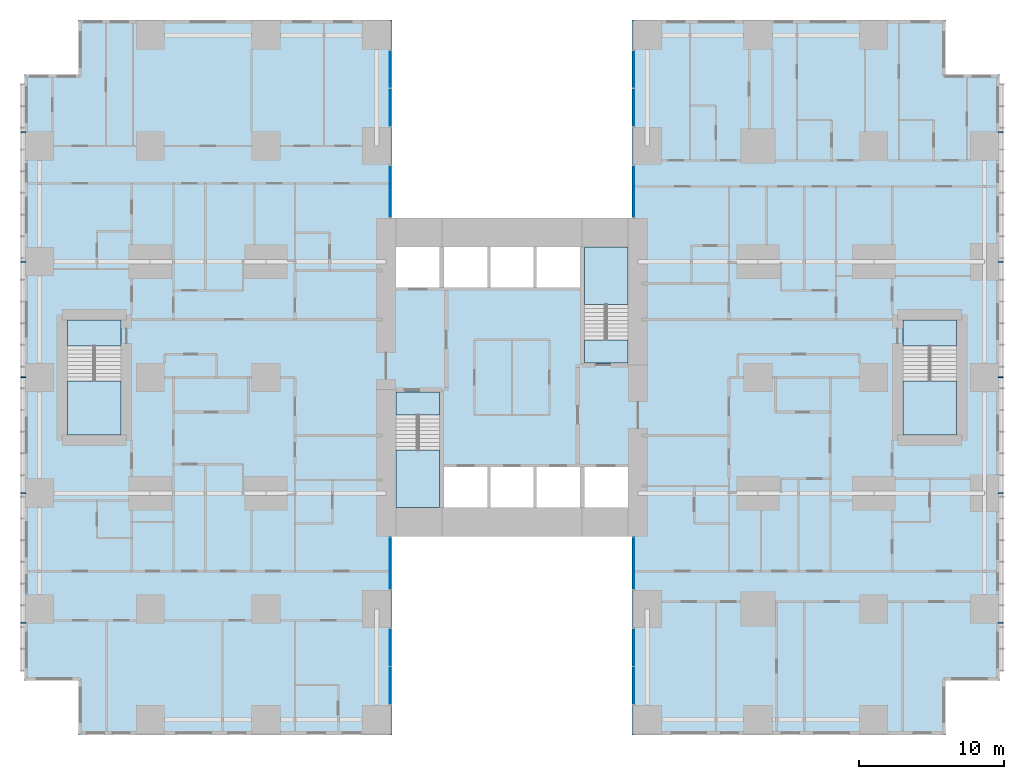
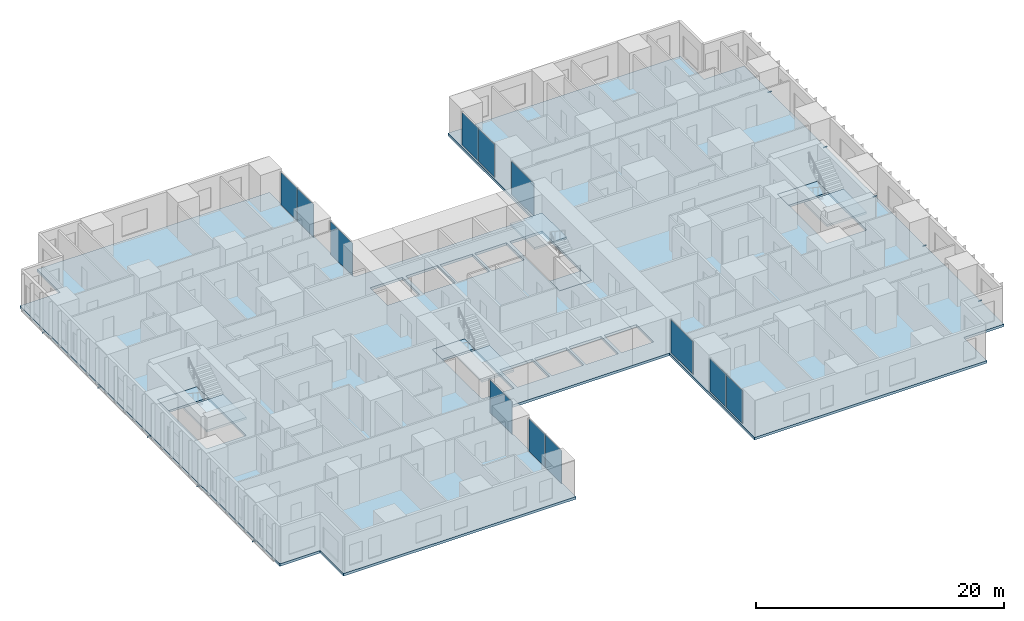
# One storey, part 7 of 21: 12 plates, 10 members, 9 slabs, 12 elements without a shape of their own.
"""IFC4 building model written with IfcOpenShell, lengths in metres."""

from ifc_helpers import new_model, si_unit, direction, frame, origin, origin_2d, place, context, subcontext, project, spatial, polyline, rectangle, hollow_rectangle, outline, extrude, material, layer, layer_set, material_profile, profile_set, type_object, element, aggregate, save


model = new_model("IFC4")

# Units and contexts
model_context = context("Model", 3, precision=1e-05, world=origin(), true_north=direction((0.0, 1.0)))
body_context = subcontext(model_context, "Body", "Model", "MODEL_VIEW")
ifc_project = project(units=[si_unit("LENGTHUNIT", "METRE"), si_unit("AREAUNIT", "SQUARE_METRE"), si_unit("VOLUMEUNIT", "CUBIC_METRE"), si_unit("PLANEANGLEUNIT", "RADIAN"), si_unit("MASSUNIT", "GRAM", prefix="KILO")], contexts=[model_context])

# Site, building, storey
site_placement = place(None, origin())
site = spatial("IfcSite", under=ifc_project, at=site_placement, CompositionType="ELEMENT")
building_placement = place(site_placement, origin())
building = spatial("IfcBuilding", under=site, at=building_placement, Name="Cleftline Residences", CompositionType="ELEMENT")
storey_placement = place(building_placement, frame((0.0, 0.0, 65.60009765625)))
storey = spatial("IfcBuildingStorey", under=building, at=storey_placement, Name="L16", CompositionType="ELEMENT", Elevation=65.60009765625)

# Members
ifc_material_1 = material(Name="Steel S355, hot-dip galvanised", Category="steel")
ifc_material_profile = material_profile(ifc_material_1, hollow_rectangle(XDim=0.10009765625, YDim=0.10009765625, WallThickness=0.008056640625, InnerFilletRadius=0.008056640625, OuterFilletRadius=0.011962890625, at=origin_2d()))
ifc_profile_set = profile_set([ifc_material_profile], Name="Steel S355, hot-dip galvanised")
member_type = type_object("IfcMemberType", Name="BAGUETTE BRACKET SHS 100X100X8", PredefinedType="USERDEFINED", material=ifc_profile_set)
for number, where, z_axis, x_axis, name in (
    (1, (66.60009765625, 7.050048828125, -0.150146484375), (1.0, 0.0, 0.0), (0.0, 1.0, 0.0), "Baguette bracket"),
    (2, (66.60009765625, 16.0, -0.150146484375), (1.0, 0.0, 0.0), (0.0, 1.0, 0.0), "Baguette bracket"),
    (3, (66.60009765625, 24.0, -0.150146484375), (1.0, 0.0, 0.0), (0.0, 1.0, 0.0), "Baguette bracket"),
    (4, (66.60009765625, 32.0, -0.150146484375), (1.0, 0.0, 0.0), (0.0, 1.0, 0.0), "Baguette bracket"),
    (5, (66.60009765625, 40.949951171875, -0.150146484375), (1.0, 0.0, 0.0), (0.0, 1.0, 0.0), "Baguette bracket"),
    (6, (-0.60009765625, 40.949951171875, -0.150146484375), (-1.0, 0.0, 0.0), (0.0, -1.0, 0.0), "Baguette bracket"),
    (7, (-0.60009765625, 32.0, -0.150146484375), (-1.0, 0.0, 0.0), (0.0, -1.0, 0.0), "Baguette bracket"),
    (8, (-0.60009765625, 24.0, -0.150146484375), (-1.0, 0.0, 0.0), (0.0, -1.0, 0.0), "Baguette bracket"),
    (9, (-0.60009765625, 16.0, -0.150146484375), (-1.0, 0.0, 0.0), (0.0, -1.0, 0.0), "Baguette bracket"),
    (10, (-0.60009765625, 7.050048828125, -0.150146484375), (-1.0, 0.0, 0.0), (0.0, -1.0, 0.0), "Baguette bracket"),
):
    element("IfcMember", number, at=place(storey_placement, frame(where, z_axis=z_axis, x_axis=x_axis)), inside=storey, type_object=member_type, Name=name, ObjectType="BAGUETTE BRACKET", PredefinedType="USERDEFINED", context=body_context, shape_type="SweptSolid", body=[
        extrude(hollow_rectangle(XDim=0.10009765625, YDim=0.10009765625, WallThickness=0.008056640625, InnerFilletRadius=0.008056640625, OuterFilletRadius=0.011962890625, at=origin_2d()), origin(), (0.0, 0.0, 1.0), 0.349853515625),
    ])

# Curtain wall, plates
ifc_material_2 = material(Name="Aluminium framed curtain wall", Category="aluminium")
ifc_layer_1 = layer(ifc_material_2, 0.199951171875)
ifc_layer_set_1 = layer_set([ifc_layer_1], Name="CW1 CLEFT GLAZING")
curtain_wall_type = type_object("IfcCurtainWallType", Name="CW1 CLEFT GLAZING", PredefinedType="NOTDEFINED", material=ifc_layer_set_1)
curtain_wall_1_placement = place(storey_placement, origin())
curtain_wall_1 = element("IfcCurtainWall", 11, at=curtain_wall_1_placement, inside=storey, type_object=curtain_wall_type, Name="Curtain wall CW1", PredefinedType="NOTDEFINED")
ifc_material_3 = material(Name="Laminated clear glass", Category="glass")
ifc_layer_2 = layer(ifc_material_3, 0.028076171875)
ifc_layer_set_2 = layer_set([ifc_layer_2], Name="CW1 GLASS PANEL")
plate_type = type_object("IfcPlateType", Name="CW1 GLASS PANEL", PredefinedType="CURTAIN_PANEL", material=ifc_layer_set_2)
plate_1_placement = place(storey_placement, frame((24.574951171875, 2.702392578125, 0.059814453125), z_axis=(0.0, 0.0, 1.0), x_axis=(0.0, 1.0, 0.0)))
plate_1 = element("IfcPlate", 12, at=plate_1_placement, type_object=plate_type, Name="CW1 panel 1.1", PredefinedType="CURTAIN_PANEL", context=body_context, shape_type="SweptSolid", body=[
    extrude(rectangle(XDim=2.5849609375, YDim=0.028076171875, at=origin_2d()), origin(), (0.0, 0.0, 1.0), 3.22998046875),
])
plate_2_placement = place(storey_placement, frame((24.574951171875, 5.347412109375, 0.059814453125), z_axis=(0.0, 0.0, 1.0), x_axis=(0.0, 1.0, 0.0)))
plate_2 = element("IfcPlate", 13, at=plate_2_placement, type_object=plate_type, Name="CW1 panel 2.1", PredefinedType="CURTAIN_PANEL", context=body_context, shape_type="SweptSolid", body=[
    extrude(rectangle(XDim=2.5849609375, YDim=0.028076171875, at=origin_2d()), origin(), (0.0, 0.0, 1.0), 3.22998046875),
])
aggregate(curtain_wall_1, [plate_1, plate_2])

# Curtain wall, plate
curtain_wall_2_placement = place(storey_placement, origin())
curtain_wall_2 = element("IfcCurtainWall", 14, at=curtain_wall_2_placement, inside=storey, type_object=curtain_wall_type, Name="Curtain wall CW1", PredefinedType="NOTDEFINED")
plate_3_placement = place(storey_placement, frame((24.574951171875, 11.14990234375, 0.059814453125), z_axis=(0.0, 0.0, 1.0), x_axis=(0.0, 1.0, 0.0)))
plate_3 = element("IfcPlate", 15, at=plate_3_placement, type_object=plate_type, Name="CW1 panel 1.1", PredefinedType="CURTAIN_PANEL", context=body_context, shape_type="SweptSolid", body=[
    extrude(rectangle(XDim=3.580078125, YDim=0.028076171875, at=origin_2d()), origin(), (0.0, 0.0, 1.0), 3.22998046875),
])
aggregate(curtain_wall_2, [plate_3])

curtain_wall_3_placement = place(storey_placement, origin())
curtain_wall_3 = element("IfcCurtainWall", 16, at=curtain_wall_3_placement, inside=storey, type_object=curtain_wall_type, Name="Curtain wall CW1", PredefinedType="NOTDEFINED")
plate_4_placement = place(storey_placement, frame((41.425048828125, 11.14990234375, 0.059814453125), z_axis=(0.0, 0.0, 1.0), x_axis=(0.0, -1.0, 0.0)))
plate_4 = element("IfcPlate", 17, at=plate_4_placement, type_object=plate_type, Name="CW1 panel 1.1", PredefinedType="CURTAIN_PANEL", context=body_context, shape_type="SweptSolid", body=[
    extrude(rectangle(XDim=3.580078125, YDim=0.028076171875, at=origin_2d()), origin(), (0.0, 0.0, 1.0), 3.22998046875),
])
aggregate(curtain_wall_3, [plate_4])

# Curtain wall, plates
curtain_wall_4_placement = place(storey_placement, origin())
curtain_wall_4 = element("IfcCurtainWall", 18, at=curtain_wall_4_placement, inside=storey, type_object=curtain_wall_type, Name="Curtain wall CW1", PredefinedType="NOTDEFINED")
plate_5_placement = place(storey_placement, frame((41.425048828125, 5.347412109375, 0.059814453125), z_axis=(0.0, 0.0, 1.0), x_axis=(0.0, -1.0, 0.0)))
plate_5 = element("IfcPlate", 19, at=plate_5_placement, type_object=plate_type, Name="CW1 panel 1.1", PredefinedType="CURTAIN_PANEL", context=body_context, shape_type="SweptSolid", body=[
    extrude(rectangle(XDim=2.5849609375, YDim=0.028076171875, at=origin_2d()), origin(), (0.0, 0.0, 1.0), 3.22998046875),
])
plate_6_placement = place(storey_placement, frame((41.425048828125, 2.702392578125, 0.059814453125), z_axis=(0.0, 0.0, 1.0), x_axis=(0.0, -1.0, 0.0)))
plate_6 = element("IfcPlate", 20, at=plate_6_placement, type_object=plate_type, Name="CW1 panel 2.1", PredefinedType="CURTAIN_PANEL", context=body_context, shape_type="SweptSolid", body=[
    extrude(rectangle(XDim=2.5849609375, YDim=0.028076171875, at=origin_2d()), origin(), (0.0, 0.0, 1.0), 3.22998046875),
])
aggregate(curtain_wall_4, [plate_5, plate_6])

curtain_wall_5_placement = place(storey_placement, origin())
curtain_wall_5 = element("IfcCurtainWall", 21, at=curtain_wall_5_placement, inside=storey, type_object=curtain_wall_type, Name="Curtain wall CW1", PredefinedType="NOTDEFINED")
plate_7_placement = place(storey_placement, frame((41.425048828125, 45.297607421875, 0.059814453125), z_axis=(0.0, 0.0, 1.0), x_axis=(0.0, -1.0, 0.0)))
plate_7 = element("IfcPlate", 22, at=plate_7_placement, type_object=plate_type, Name="CW1 panel 1.1", PredefinedType="CURTAIN_PANEL", context=body_context, shape_type="SweptSolid", body=[
    extrude(rectangle(XDim=2.5849609375, YDim=0.028076171875, at=origin_2d()), origin(), (0.0, 0.0, 1.0), 3.22998046875),
])
plate_8_placement = place(storey_placement, frame((41.425048828125, 42.652587890625, 0.059814453125), z_axis=(0.0, 0.0, 1.0), x_axis=(0.0, -1.0, 0.0)))
plate_8 = element("IfcPlate", 23, at=plate_8_placement, type_object=plate_type, Name="CW1 panel 2.1", PredefinedType="CURTAIN_PANEL", context=body_context, shape_type="SweptSolid", body=[
    extrude(rectangle(XDim=2.5849609375, YDim=0.028076171875, at=origin_2d()), origin(), (0.0, 0.0, 1.0), 3.22998046875),
])
aggregate(curtain_wall_5, [plate_7, plate_8])

# Curtain wall, plate
curtain_wall_6_placement = place(storey_placement, origin())
curtain_wall_6 = element("IfcCurtainWall", 24, at=curtain_wall_6_placement, inside=storey, type_object=curtain_wall_type, Name="Curtain wall CW1", PredefinedType="NOTDEFINED")
plate_9_placement = place(storey_placement, frame((41.425048828125, 36.85009765625, 0.059814453125), z_axis=(0.0, 0.0, 1.0), x_axis=(0.0, -1.0, 0.0)))
plate_9 = element("IfcPlate", 25, at=plate_9_placement, type_object=plate_type, Name="CW1 panel 1.1", PredefinedType="CURTAIN_PANEL", context=body_context, shape_type="SweptSolid", body=[
    extrude(rectangle(XDim=3.580078125, YDim=0.028076171875, at=origin_2d()), origin(), (0.0, 0.0, 1.0), 3.22998046875),
])
aggregate(curtain_wall_6, [plate_9])

curtain_wall_7_placement = place(storey_placement, origin())
curtain_wall_7 = element("IfcCurtainWall", 26, at=curtain_wall_7_placement, inside=storey, type_object=curtain_wall_type, Name="Curtain wall CW1", PredefinedType="NOTDEFINED")
plate_10_placement = place(storey_placement, frame((24.574951171875, 36.85009765625, 0.059814453125), z_axis=(0.0, 0.0, 1.0), x_axis=(0.0, 1.0, 0.0)))
plate_10 = element("IfcPlate", 27, at=plate_10_placement, type_object=plate_type, Name="CW1 panel 1.1", PredefinedType="CURTAIN_PANEL", context=body_context, shape_type="SweptSolid", body=[
    extrude(rectangle(XDim=3.580078125, YDim=0.028076171875, at=origin_2d()), origin(), (0.0, 0.0, 1.0), 3.22998046875),
])
aggregate(curtain_wall_7, [plate_10])

# Curtain wall, plates
curtain_wall_8_placement = place(storey_placement, origin())
curtain_wall_8 = element("IfcCurtainWall", 28, at=curtain_wall_8_placement, inside=storey, type_object=curtain_wall_type, Name="Curtain wall CW1", PredefinedType="NOTDEFINED")
plate_11_placement = place(storey_placement, frame((24.574951171875, 42.652587890625, 0.059814453125), z_axis=(0.0, 0.0, 1.0), x_axis=(0.0, 1.0, 0.0)))
plate_11 = element("IfcPlate", 29, at=plate_11_placement, type_object=plate_type, Name="CW1 panel 1.1", PredefinedType="CURTAIN_PANEL", context=body_context, shape_type="SweptSolid", body=[
    extrude(rectangle(XDim=2.5849609375, YDim=0.028076171875, at=origin_2d()), origin(), (0.0, 0.0, 1.0), 3.22998046875),
])
plate_12_placement = place(storey_placement, frame((24.574951171875, 45.297607421875, 0.059814453125), z_axis=(0.0, 0.0, 1.0), x_axis=(0.0, 1.0, 0.0)))
plate_12 = element("IfcPlate", 30, at=plate_12_placement, type_object=plate_type, Name="CW1 panel 2.1", PredefinedType="CURTAIN_PANEL", context=body_context, shape_type="SweptSolid", body=[
    extrude(rectangle(XDim=2.5849609375, YDim=0.028076171875, at=origin_2d()), origin(), (0.0, 0.0, 1.0), 3.22998046875),
])
aggregate(curtain_wall_8, [plate_11, plate_12])

# Slab
ifc_material_4 = material(Name="Concrete B45", Category="concrete")
ifc_layer_3 = layer(ifc_material_4, 0.25)
ifc_layer_set_3 = layer_set([ifc_layer_3], Name="FLOOR SLAB 250")
slab_type_1 = type_object("IfcSlabType", Name="FLOOR SLAB 250", PredefinedType="FLOOR", material=ifc_layer_set_3)
slab_1_placement = place(storey_placement, frame((0.0, 0.0, -0.25)))
element("IfcSlab", 31, at=slab_1_placement, inside=storey, type_object=slab_type_1, Name="Floor slab L16", PredefinedType="FLOOR", context=body_context, shape_type="SweptSolid", body=[
    extrude(outline(polyline([(24.699951171875, 13.0), (41.300048828125, 13.0), (41.300048828125, -0.699951171875), (62.949951171875, -0.699951171875), (62.949951171875, 3.050048828125), (66.699951171875, 3.050048828125), (66.699951171875, 44.949951171875), (62.949951171875, 44.949951171875), (62.949951171875, 48.699951171875), (41.300048828125, 48.699951171875), (41.300048828125, 35.0), (24.699951171875, 35.0), (24.699951171875, 48.699951171875), (3.050048828125, 48.699951171875), (3.050048828125, 44.949951171875), (-0.699951171875, 44.949951171875), (-0.699951171875, 3.050048828125), (3.050048828125, 3.050048828125), (3.050048828125, -0.699951171875), (24.699951171875, -0.699951171875), (24.699951171875, 13.0)]), holes=[polyline([(28.0, 15.0), (28.0, 23.0), (25.0, 23.0), (25.0, 15.0), (28.0, 15.0)]), polyline([(41.0, 25.0), (41.0, 33.0), (38.0, 33.0), (38.0, 25.0), (41.0, 25.0)]), polyline([(28.0, 30.199951171875), (28.0, 33.0), (25.0, 33.0), (25.0, 30.199951171875), (28.0, 30.199951171875)]), polyline([(41.0, 15.0), (41.0, 17.800048828125), (38.0, 17.800048828125), (38.0, 15.0), (41.0, 15.0)]), polyline([(31.300048828125, 15.0), (31.300048828125, 17.800048828125), (28.300048828125, 17.800048828125), (28.300048828125, 15.0), (31.300048828125, 15.0)]), polyline([(34.5, 15.0), (34.5, 17.800048828125), (31.5, 17.800048828125), (31.5, 15.0), (34.5, 15.0)]), polyline([(37.699951171875, 15.0), (37.699951171875, 17.800048828125), (34.699951171875, 17.800048828125), (34.699951171875, 15.0), (37.699951171875, 15.0)]), polyline([(31.300048828125, 30.199951171875), (31.300048828125, 33.0), (28.300048828125, 33.0), (28.300048828125, 30.199951171875), (31.300048828125, 30.199951171875)]), polyline([(34.5, 30.199951171875), (34.5, 33.0), (31.5, 33.0), (31.5, 30.199951171875), (34.5, 30.199951171875)]), polyline([(37.699951171875, 30.199951171875), (37.699951171875, 33.0), (34.699951171875, 33.0), (34.699951171875, 30.199951171875), (37.699951171875, 30.199951171875)]), polyline([(63.72509765625, 20.02490234375), (63.72509765625, 27.97509765625), (60.02490234375, 27.97509765625), (60.02490234375, 20.02490234375), (63.72509765625, 20.02490234375)]), polyline([(5.97509765625, 20.02490234375), (5.97509765625, 27.97509765625), (2.27490234375, 27.97509765625), (2.27490234375, 20.02490234375), (5.97509765625, 20.02490234375)])]), origin(), (0.0, 0.0, 1.0), 0.25),
])

# Stair, slabs
ifc_material_5 = material(Name="Concrete B45, stone treads", Category="masonry")
stair_type_1 = type_object("IfcStairType", Name="STAIR A 1450 WIDE 180 RISER", PredefinedType="HALF_TURN_STAIR", material=ifc_material_5)
stair_1_placement = place(storey_placement, origin())
stair_1 = element("IfcStair", 32, at=stair_1_placement, inside=storey, type_object=stair_type_1, Name="Stair A L16", PredefinedType="HALF_TURN_STAIR")
ifc_material_6 = material(Name="Concrete B45", Category="concrete")
ifc_layer_4 = layer(ifc_material_6, 0.199951171875)
ifc_layer_set_4 = layer_set([ifc_layer_4], Name="STAIR LANDING 200")
slab_type_2 = type_object("IfcSlabType", Name="STAIR LANDING 200", PredefinedType="LANDING", material=ifc_layer_set_4)
slab_2_placement = place(storey_placement, frame((0.0, 0.0, -0.2001953125)))
slab_2 = element("IfcSlab", 33, at=slab_2_placement, type_object=slab_type_2, Name="ST-A landing 1", PredefinedType="LANDING", context=body_context, shape_type="SweptSolid", body=[
    extrude(outline(polyline([(25.0, 21.39990234375), (28.0, 21.39990234375), (28.0, 23.0), (25.0, 23.0), (25.0, 21.39990234375)])), origin(), (0.0, 0.0, 1.0), 0.2001953125),
])
slab_3_placement = place(storey_placement, frame((0.0, 0.0, 1.599853515625)))
slab_3 = element("IfcSlab", 34, at=slab_3_placement, type_object=slab_type_2, Name="ST-A landing 2", PredefinedType="LANDING", context=body_context, shape_type="SweptSolid", body=[
    extrude(outline(polyline([(25.0, 15.0), (28.0, 15.0), (28.0, 18.969970703125), (25.0, 18.969970703125), (25.0, 15.0)])), origin(), (0.0, 0.0, 1.0), 0.199951171875),
])
aggregate(stair_1, [slab_2, slab_3])

ifc_material_7 = material(Name="Concrete B45, stone treads", Category="masonry")
stair_type_2 = type_object("IfcStairType", Name="STAIR B 1450 WIDE 180 RISER", PredefinedType="HALF_TURN_STAIR", material=ifc_material_7)
stair_2_placement = place(storey_placement, origin())
stair_2 = element("IfcStair", 35, at=stair_2_placement, inside=storey, type_object=stair_type_2, Name="Stair B L16", PredefinedType="HALF_TURN_STAIR")
slab_4_placement = place(storey_placement, frame((0.0, 0.0, -0.2001953125)))
slab_4 = element("IfcSlab", 36, at=slab_4_placement, type_object=slab_type_2, Name="ST-B landing 1", PredefinedType="LANDING", context=body_context, shape_type="SweptSolid", body=[
    extrude(outline(polyline([(38.0, 25.0), (41.0, 25.0), (41.0, 26.60009765625), (38.0, 26.60009765625), (38.0, 25.0)])), origin(), (0.0, 0.0, 1.0), 0.2001953125),
])
slab_5_placement = place(storey_placement, frame((0.0, 0.0, 1.599853515625)))
slab_5 = element("IfcSlab", 37, at=slab_5_placement, type_object=slab_type_2, Name="ST-B landing 2", PredefinedType="LANDING", context=body_context, shape_type="SweptSolid", body=[
    extrude(outline(polyline([(38.0, 29.030029296875), (41.0, 29.030029296875), (41.0, 33.0), (38.0, 33.0), (38.0, 29.030029296875)])), origin(), (0.0, 0.0, 1.0), 0.199951171875),
])
aggregate(stair_2, [slab_4, slab_5])

ifc_material_8 = material(Name="Concrete B45, stone treads", Category="masonry")
stair_type_3 = type_object("IfcStairType", Name="STAIR E 1800 WIDE 180 RISER", PredefinedType="HALF_TURN_STAIR", material=ifc_material_8)
stair_3_placement = place(storey_placement, origin())
stair_3 = element("IfcStair", 38, at=stair_3_placement, inside=storey, type_object=stair_type_3, Name="Stair E L16", PredefinedType="HALF_TURN_STAIR")
slab_6_placement = place(storey_placement, frame((0.0, 0.0, -0.2001953125)))
slab_6 = element("IfcSlab", 39, at=slab_6_placement, type_object=slab_type_2, Name="ST-E landing 1", PredefinedType="LANDING", context=body_context, shape_type="SweptSolid", body=[
    extrude(outline(polyline([(60.02490234375, 26.175048828125), (63.72509765625, 26.175048828125), (63.72509765625, 27.97509765625), (60.02490234375, 27.97509765625), (60.02490234375, 26.175048828125)])), origin(), (0.0, 0.0, 1.0), 0.2001953125),
])
slab_7_placement = place(storey_placement, frame((0.0, 0.0, 1.599853515625)))
slab_7 = element("IfcSlab", 40, at=slab_7_placement, type_object=slab_type_2, Name="ST-E landing 2", PredefinedType="LANDING", context=body_context, shape_type="SweptSolid", body=[
    extrude(outline(polyline([(60.02490234375, 20.02490234375), (63.72509765625, 20.02490234375), (63.72509765625, 23.7451171875), (60.02490234375, 23.7451171875), (60.02490234375, 20.02490234375)])), origin(), (0.0, 0.0, 1.0), 0.199951171875),
])
aggregate(stair_3, [slab_6, slab_7])

ifc_material_9 = material(Name="Concrete B45, stone treads", Category="masonry")
stair_type_4 = type_object("IfcStairType", Name="STAIR W 1800 WIDE 180 RISER", PredefinedType="HALF_TURN_STAIR", material=ifc_material_9)
stair_4_placement = place(storey_placement, origin())
stair_4 = element("IfcStair", 41, at=stair_4_placement, inside=storey, type_object=stair_type_4, Name="Stair W L16", PredefinedType="HALF_TURN_STAIR")
slab_8_placement = place(storey_placement, frame((0.0, 0.0, -0.2001953125)))
slab_8 = element("IfcSlab", 42, at=slab_8_placement, type_object=slab_type_2, Name="ST-W landing 1", PredefinedType="LANDING", context=body_context, shape_type="SweptSolid", body=[
    extrude(outline(polyline([(2.27490234375, 26.175048828125), (5.97509765625, 26.175048828125), (5.97509765625, 27.97509765625), (2.27490234375, 27.97509765625), (2.27490234375, 26.175048828125)])), origin(), (0.0, 0.0, 1.0), 0.2001953125),
])
slab_9_placement = place(storey_placement, frame((0.0, 0.0, 1.599853515625)))
slab_9 = element("IfcSlab", 43, at=slab_9_placement, type_object=slab_type_2, Name="ST-W landing 2", PredefinedType="LANDING", context=body_context, shape_type="SweptSolid", body=[
    extrude(outline(polyline([(2.27490234375, 20.02490234375), (5.97509765625, 20.02490234375), (5.97509765625, 23.7451171875), (2.27490234375, 23.7451171875), (2.27490234375, 20.02490234375)])), origin(), (0.0, 0.0, 1.0), 0.199951171875),
])
aggregate(stair_4, [slab_8, slab_9])

save(model, "model.ifc")
